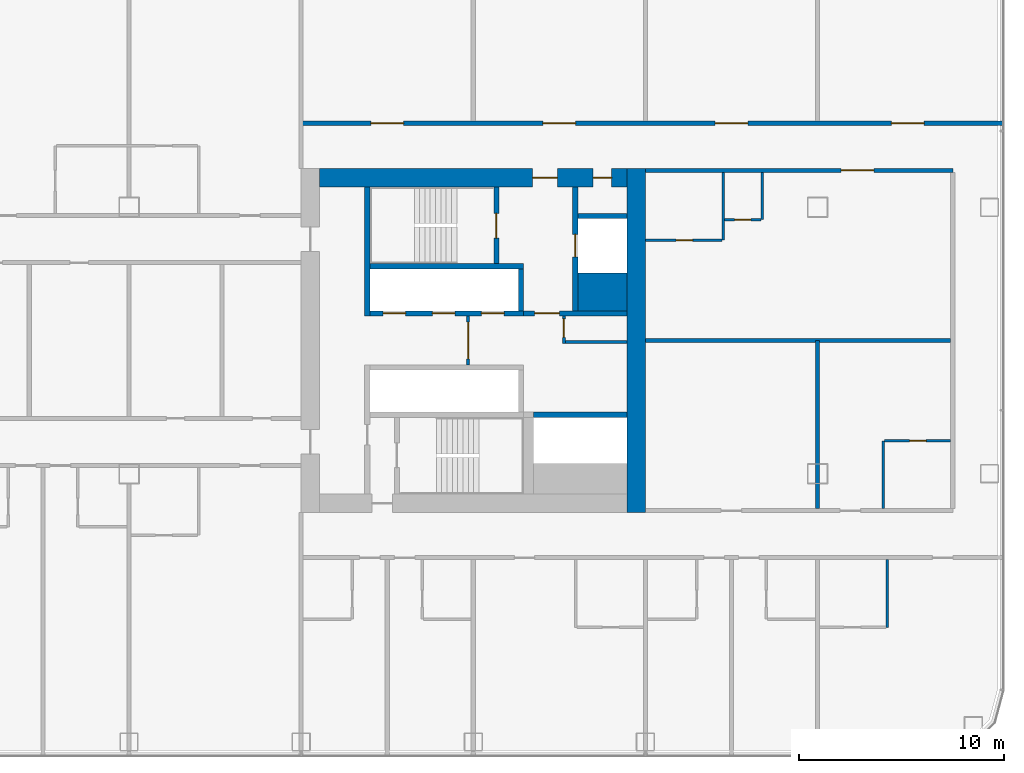
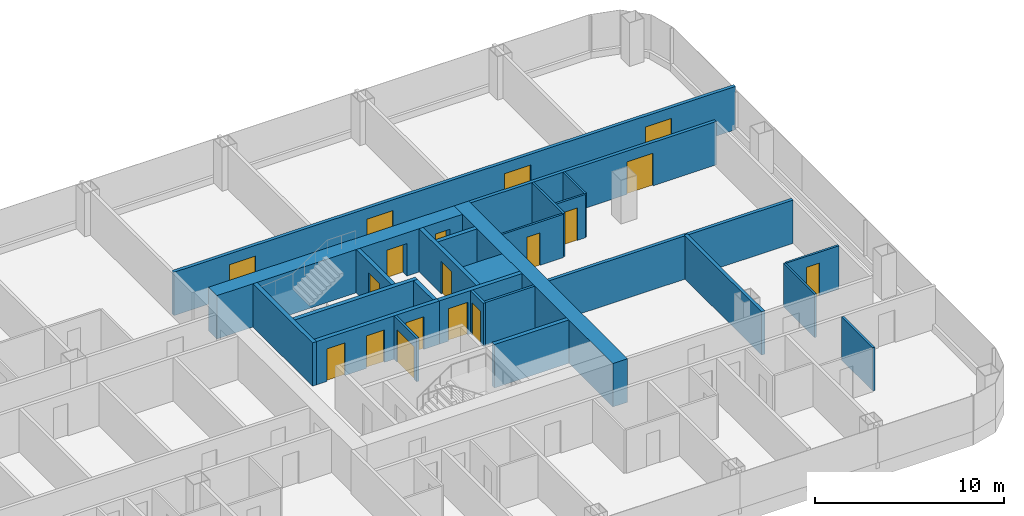
# One storey, part 19 of 29: 26 walls, 18 doors, 18 openings.
"""IFC4 building model written with IfcOpenShell, lengths in metres."""

from ifc_helpers import new_model, si_unit, direction, frame, frame_2d, origin, place, context, subcontext, project, spatial, rectangle, extrude, material, layer, layer_set, type_object, element, fill, save


model = new_model("IFC4")

# Units and contexts
model_context = context("Model", 3, precision=1e-05, world=origin(), true_north=direction((0.0, 1.0)))
body_context = subcontext(model_context, "Body", "Model", "MODEL_VIEW")
ifc_project = project(units=[si_unit("LENGTHUNIT", "METRE"), si_unit("AREAUNIT", "SQUARE_METRE"), si_unit("VOLUMEUNIT", "CUBIC_METRE"), si_unit("PLANEANGLEUNIT", "RADIAN"), si_unit("MASSUNIT", "GRAM", prefix="KILO")], contexts=[model_context])

# Site, building, storey
site_placement = place(None, origin())
site = spatial("IfcSite", under=ifc_project, at=site_placement, CompositionType="ELEMENT")
building_placement = place(site_placement, origin())
building = spatial("IfcBuilding", under=site, at=building_placement, Name="Hakoniwa Tower and Hamabe Station Hall", CompositionType="ELEMENT")
storey_placement = place(building_placement, frame((0.0, 0.0, 45.39990234375)))
storey = spatial("IfcBuildingStorey", under=building, at=storey_placement, Name="L12", CompositionType="ELEMENT", Elevation=45.39990234375)

# Wall, opening, door
ifc_material_1 = material(Name="Gypsum board partition", Category="gypsum")
ifc_layer_1 = layer(ifc_material_1, 0.125)
ifc_layer_set_1 = layer_set([ifc_layer_1], Name="Bathroom Partition 125")
wall_type_1 = type_object("IfcWallType", Name="Bathroom Partition 125", PredefinedType="PARTITIONING", material=ifc_layer_set_1)
wall_1_placement = place(storey_placement, frame((45.262451171875, -4.89990234375, 0.0), z_axis=(0.0, 0.0, 1.0), x_axis=(1.0, 0.0, 0.0)))
wall_1 = element("IfcWall", 1, at=wall_1_placement, inside=storey, type_object=wall_type_1, Name="GW-L12-025", PredefinedType="PARTITIONING", context=body_context, shape_type="SweptSolid", body=[
    extrude(rectangle(XDim=3.237548828125, YDim=0.125, at=frame_2d((1.61865234375, 0.0))), origin(), (0.0, 0.0, 1.0), 2.800048828125),
])
opening_1_placement = place(wall_1_placement, frame((1.237548828125, 0.0, 0.0)))
opening_1 = element("IfcOpeningElement", 2, at=opening_1_placement, cuts=wall_1, Name="Opening GD-G1D1-30", PredefinedType="OPENING", context=body_context, shape_type="SweptSolid", body=[
    extrude(rectangle(XDim=0.800048828125, YDim=2.10009765625, at=frame_2d((0.39990234375, 1.050048828125))), frame((0.0, 0.072509765625, 0.0), z_axis=(0.0, -1.0, 0.0), x_axis=(1.0, 0.0, 0.0)), (0.0, 0.0, 1.0), 0.14501953125),
])
ifc_material_2 = material(Name="Timber door leaf", Category="wood")
door_type_1 = type_object("IfcDoorType", Name="Bathroom Door 800", OperationType="SINGLE_SWING_LEFT", PredefinedType="DOOR", material=ifc_material_2)
door_1_placement = place(opening_1_placement, origin())
door_1 = element("IfcDoor", 3, at=door_1_placement, inside=storey, type_object=door_type_1, Name="Door GD-G1D1-30", OperationType="SINGLE_SWING_LEFT", OverallHeight=2.10009765625, OverallWidth=0.800048828125, PredefinedType="DOOR", context=body_context, shape_type="SweptSolid", body=[
    extrude(rectangle(XDim=0.800048828125, YDim=2.10009765625, at=frame_2d((0.39990234375, 1.050048828125))), frame((0.0, 0.02490234375, 0.0), z_axis=(0.0, -1.0, 0.0), x_axis=(1.0, 0.0, 0.0)), (0.0, 0.0, 1.0), 0.050048828125),
])
fill(opening_1, door_1)

wall_2_placement = place(storey_placement, frame((33.60009765625, 4.89990234375, 0.0), z_axis=(0.0, 0.0, 1.0), x_axis=(1.0, 0.0, 0.0)))
wall_2 = element("IfcWall", 4, at=wall_2_placement, inside=storey, type_object=wall_type_1, Name="GW-L12-031", PredefinedType="PARTITIONING", context=body_context, shape_type="SweptSolid", body=[
    extrude(rectangle(XDim=3.7373046875, YDim=0.125, at=frame_2d((1.86865234375, 0.0))), origin(), (0.0, 0.0, 1.0), 2.800048828125),
])
opening_2_placement = place(wall_2_placement, frame((1.5, 0.0, 0.0)))
opening_2 = element("IfcOpeningElement", 5, at=opening_2_placement, cuts=wall_2, Name="Opening GD-G1D1-40", PredefinedType="OPENING", context=body_context, shape_type="SweptSolid", body=[
    extrude(rectangle(XDim=0.800048828125, YDim=2.10009765625, at=frame_2d((0.39990234375, 1.050048828125))), frame((0.0, 0.072509765625, 0.0), z_axis=(0.0, -1.0, 0.0), x_axis=(1.0, 0.0, 0.0)), (0.0, 0.0, 1.0), 0.14501953125),
])
door_2_placement = place(opening_2_placement, origin())
door_2 = element("IfcDoor", 6, at=door_2_placement, inside=storey, type_object=door_type_1, Name="Door GD-G1D1-40", OperationType="SINGLE_SWING_LEFT", OverallHeight=2.10009765625, OverallWidth=0.800048828125, PredefinedType="DOOR", context=body_context, shape_type="SweptSolid", body=[
    extrude(rectangle(XDim=0.800048828125, YDim=2.10009765625, at=frame_2d((0.39990234375, 1.050048828125))), frame((0.0, 0.02490234375, 0.0), z_axis=(0.0, -1.0, 0.0), x_axis=(1.0, 0.0, 0.0)), (0.0, 0.0, 1.0), 0.050048828125),
])
fill(opening_2, door_2)

wall_3_placement = place(storey_placement, frame((37.46240234375, 5.89990234375, 0.0), z_axis=(0.0, 0.0, 1.0), x_axis=(1.0, 0.0, 0.0)))
wall_3 = element("IfcWall", 7, at=wall_3_placement, inside=storey, type_object=wall_type_1, Name="GW-L12-033", PredefinedType="PARTITIONING", context=body_context, shape_type="SweptSolid", body=[
    extrude(rectangle(XDim=1.775146484375, YDim=0.125, at=frame_2d((0.8876953125, 0.0))), origin(), (0.0, 0.0, 1.0), 2.800048828125),
])
opening_3_placement = place(wall_3_placement, frame((0.487548828125, 0.0, 0.0)))
opening_3 = element("IfcOpeningElement", 8, at=opening_3_placement, cuts=wall_3, Name="Opening GD-G1D1-42", PredefinedType="OPENING", context=body_context, shape_type="SweptSolid", body=[
    extrude(rectangle(XDim=0.800048828125, YDim=2.10009765625, at=frame_2d((0.39990234375, 1.050048828125))), frame((0.0, 0.072509765625, 0.0), z_axis=(0.0, -1.0, 0.0), x_axis=(1.0, 0.0, 0.0)), (0.0, 0.0, 1.0), 0.14501953125),
])
door_3_placement = place(opening_3_placement, origin())
door_3 = element("IfcDoor", 9, at=door_3_placement, inside=storey, type_object=door_type_1, Name="Door GD-G1D1-42", OperationType="SINGLE_SWING_LEFT", OverallHeight=2.10009765625, OverallWidth=0.800048828125, PredefinedType="DOOR", context=body_context, shape_type="SweptSolid", body=[
    extrude(rectangle(XDim=0.800048828125, YDim=2.10009765625, at=frame_2d((0.39990234375, 1.050048828125))), frame((0.0, 0.02490234375, 0.0), z_axis=(0.0, -1.0, 0.0), x_axis=(1.0, 0.0, 0.0)), (0.0, 0.0, 1.0), 0.050048828125),
])
fill(opening_3, door_3)

# Walls
wall_4_placement = place(storey_placement, frame((37.39990234375, 4.89990234375, 0.0), z_axis=(0.0, 0.0, 1.0), x_axis=(0.0, 1.0, 0.0)))
element("IfcWall", 10, at=wall_4_placement, inside=storey, type_object=wall_type_1, Name="GW-L12-107", PredefinedType="PARTITIONING", context=body_context, shape_type="SweptSolid", body=[
    extrude(rectangle(XDim=3.300048828125, YDim=0.125, at=frame_2d((1.64990234375, 0.0))), origin(), (0.0, 0.0, 1.0), 2.800048828125),
])
wall_5_placement = place(storey_placement, frame((39.300048828125, 5.89990234375, 0.0), z_axis=(0.0, 0.0, 1.0), x_axis=(0.0, 1.0, 0.0)))
element("IfcWall", 11, at=wall_5_placement, inside=storey, type_object=wall_type_1, Name="GW-L12-109", PredefinedType="PARTITIONING", context=body_context, shape_type="SweptSolid", body=[
    extrude(rectangle(XDim=2.300048828125, YDim=0.125, at=frame_2d((1.14990234375, 0.0))), origin(), (0.0, 0.0, 1.0), 2.800048828125),
])
for number, where, z_axis, x_axis, name in (
    (12, (45.199951171875, -8.199951171875, 0.0), (0.0, 0.0, 1.0), (0.0, 1.0, 0.0), "GW-L12-114"),
    (13, (45.39990234375, -14.0, 0.0), (0.0, 0.0, 1.0), (0.0, 1.0, 0.0), "GW-L12-115"),
):
    element("IfcWall", number, at=place(storey_placement, frame(where, z_axis=z_axis, x_axis=x_axis)), inside=storey, type_object=wall_type_1, Name=name, PredefinedType="PARTITIONING", context=body_context, shape_type="SweptSolid", body=[
        extrude(rectangle(XDim=3.300048828125, YDim=0.125, at=frame_2d((1.64990234375, 0.0))), origin(), (0.0, 0.0, 1.0), 2.800048828125),
    ])

# Wall, opening, door
ifc_material_3 = material(Name="Gypsum board partition")
ifc_layer_2 = layer(ifc_material_3, 0.14990234375)
ifc_layer_set_2 = layer_set([ifc_layer_2], Name="CORE PARTITION 150 EI 60")
wall_type_2 = type_object("IfcWallType", Name="CORE PARTITION 150 EI 60", PredefinedType="PARTITIONING", material=ifc_layer_set_2)
wall_6_placement = place(storey_placement, frame((24.949951171875, -1.199951171875, 0.0), z_axis=(0.0, 0.0, 1.0), x_axis=(0.0, 1.0, 0.0)))
wall_6 = element("IfcWall", 14, at=wall_6_placement, inside=storey, type_object=wall_type_2, Name="Core partition PL0 east", PredefinedType="PARTITIONING", context=body_context, shape_type="SweptSolid", body=[
    extrude(rectangle(XDim=2.39990234375, YDim=0.14990234375, at=frame_2d((1.199951171875, 0.0))), origin(), (0.0, 0.0, 1.0), 2.800048828125),
])
opening_4_placement = place(wall_6_placement, frame((0.300048828125, 0.0, 0.0)))
opening_4 = element("IfcOpeningElement", 15, at=opening_4_placement, cuts=wall_6, Name="Opening CD-E-LP0-18", PredefinedType="OPENING", context=body_context, shape_type="SweptSolid", body=[
    extrude(rectangle(XDim=1.800048828125, YDim=2.10009765625, at=frame_2d((0.89990234375, 1.050048828125))), frame((0.0, 0.0849609375, 0.0), z_axis=(0.0, -1.0, 0.0), x_axis=(1.0, 0.0, 0.0)), (0.0, 0.0, 1.0), 0.169921875),
])
ifc_material_4 = material(Name="Steel fire door", Category="steel")
door_type_2 = type_object("IfcDoorType", Name="CORE DOOR 1800 FD60", OperationType="DOUBLE_DOOR_SINGLE_SWING", PredefinedType="DOOR", material=ifc_material_4)
door_4_placement = place(opening_4_placement, origin())
door_4 = element("IfcDoor", 16, at=door_4_placement, inside=storey, type_object=door_type_2, Name="Lift lobby partition door", OperationType="DOUBLE_DOOR_SINGLE_SWING", OverallHeight=2.10009765625, OverallWidth=1.800048828125, PredefinedType="DOOR", context=body_context, shape_type="SweptSolid", body=[
    extrude(rectangle(XDim=1.800048828125, YDim=2.10009765625, at=frame_2d((0.89990234375, 1.050048828125))), frame((0.0, 0.02490234375, 0.0), z_axis=(0.0, -1.0, 0.0), x_axis=(1.0, 0.0, 0.0)), (0.0, 0.0, 1.0), 0.050048828125),
])
fill(opening_4, door_4)

wall_7_placement = place(storey_placement, frame((29.625, -0.14990234375, 0.0), z_axis=(0.0, 0.0, 1.0), x_axis=(0.0, 1.0, 0.0)))
wall_7 = element("IfcWall", 17, at=wall_7_placement, inside=storey, type_object=wall_type_2, Name="Core partition PW0 east", PredefinedType="PARTITIONING", context=body_context, shape_type="SweptSolid", body=[
    extrude(rectangle(XDim=1.349853515625, YDim=0.14990234375, at=frame_2d((0.6748046875, 0.0))), origin(), (0.0, 0.0, 1.0), 2.800048828125),
])
opening_5_placement = place(wall_7_placement, frame((0.300048828125, 0.0, 0.0)))
opening_5 = element("IfcOpeningElement", 18, at=opening_5_placement, cuts=wall_7, Name="Opening CD-E-RM1-9", PredefinedType="OPENING", context=body_context, shape_type="SweptSolid", body=[
    extrude(rectangle(XDim=0.89990234375, YDim=2.10009765625, at=frame_2d((0.449951171875, 1.050048828125))), frame((0.0, 0.0849609375, 0.0), z_axis=(0.0, -1.0, 0.0), x_axis=(1.0, 0.0, 0.0)), (0.0, 0.0, 1.0), 0.169921875),
])
ifc_material_5 = material(Name="Steel fire door", Category="steel")
door_type_3 = type_object("IfcDoorType", Name="CORE DOOR 900 FD30", OperationType="NOTDEFINED", PredefinedType="DOOR", material=ifc_material_5)
door_5_placement = place(opening_5_placement, origin())
door_5 = element("IfcDoor", 19, at=door_5_placement, inside=storey, type_object=door_type_3, Name="Store room door", OperationType="SINGLE_SWING_LEFT", OverallHeight=2.10009765625, OverallWidth=0.89990234375, PredefinedType="DOOR", context=body_context, shape_type="SweptSolid", body=[
    extrude(rectangle(XDim=0.89990234375, YDim=2.10009765625, at=frame_2d((0.449951171875, 1.050048828125))), frame((0.0, 0.02490234375, 0.0), z_axis=(0.0, -1.0, 0.0), x_axis=(1.0, 0.0, 0.0)), (0.0, 0.0, 1.0), 0.050048828125),
])
fill(opening_5, door_5)

# Walls
wall_8_placement = place(storey_placement, frame((29.699951171875, -0.074951171875, 0.0), z_axis=(0.0, 0.0, 1.0), x_axis=(1.0, 0.0, 0.0)))
element("IfcWall", 20, at=wall_8_placement, inside=storey, type_object=wall_type_2, Name="Core partition PS east", PredefinedType="PARTITIONING", context=body_context, shape_type="SweptSolid", body=[
    extrude(rectangle(XDim=3.0, YDim=0.14990234375, at=frame_2d((1.5, 0.0))), origin(), (0.0, 0.0, 1.0), 2.800048828125),
])
ifc_material_6 = material(Name="Concrete C80", Category="concrete")
ifc_layer_3 = layer(ifc_material_6, 0.89990234375)
ifc_layer_set_3 = layer_set([ifc_layer_3], Name="CORE WALL 900 C80")
wall_type_3 = type_object("IfcWallType", Name="CORE WALL 900 C80", PredefinedType="SHEAR", material=ifc_layer_set_3)
wall_9_placement = place(storey_placement, frame((33.14990234375, -8.39990234375, 0.0), z_axis=(0.0, 0.0, 1.0), x_axis=(0.0, 1.0, 0.0)))
element("IfcWall", 21, at=wall_9_placement, inside=storey, type_object=wall_type_3, Name="Core wall OUTER east", PredefinedType="SHEAR", context=body_context, shape_type="SweptSolid", body=[
    extrude(rectangle(XDim=16.7998046875, YDim=0.89990234375, at=frame_2d((8.39990234375, 0.0))), origin(), (0.0, 0.0, 1.0), 2.800048828125),
])

# Wall, openings, doors
wall_10_placement = place(storey_placement, frame((17.699951171875, 7.949951171875, 0.0), z_axis=(0.0, 0.0, 1.0), x_axis=(1.0, 0.0, 0.0)))
wall_10 = element("IfcWall", 22, at=wall_10_placement, inside=storey, type_object=wall_type_3, Name="Core wall NORTH east", PredefinedType="SHEAR", context=body_context, shape_type="SweptSolid", body=[
    extrude(rectangle(XDim=15.0, YDim=0.89990234375, at=frame_2d((7.5, 0.0))), origin(), (0.0, 0.0, 1.0), 2.800048828125),
])
opening_6_placement = place(wall_10_placement, frame((10.39990234375, 0.0, 0.0)))
opening_6 = element("IfcOpeningElement", 23, at=opening_6_placement, cuts=wall_10, Name="Opening CD-E-FN1-12", PredefinedType="OPENING", context=body_context, shape_type="SweptSolid", body=[
    extrude(rectangle(XDim=1.199951171875, YDim=2.10009765625, at=frame_2d((0.60009765625, 1.050048828125))), frame((0.0, 0.4599609375, 0.0), z_axis=(0.0, -1.0, 0.0), x_axis=(1.0, 0.0, 0.0)), (0.0, 0.0, 1.0), 0.919921875),
])
opening_7_placement = place(wall_10_placement, frame((13.35009765625, 0.0, 0.0)))
opening_7 = element("IfcOpeningElement", 24, at=opening_7_placement, cuts=wall_10, Name="Opening CD-E-FN2-9", PredefinedType="OPENING", context=body_context, shape_type="SweptSolid", body=[
    extrude(rectangle(XDim=0.89990234375, YDim=2.10009765625, at=frame_2d((0.449951171875, 1.050048828125))), frame((0.0, 0.4599609375, 0.0), z_axis=(0.0, -1.0, 0.0), x_axis=(1.0, 0.0, 0.0)), (0.0, 0.0, 1.0), 0.919921875),
])
ifc_material_7 = material(Name="Steel fire door", Category="steel")
door_type_4 = type_object("IfcDoorType", Name="CORE DOOR 1200 FD60", OperationType="DOUBLE_DOOR_SINGLE_SWING", PredefinedType="DOOR", material=ifc_material_7)
door_6_placement = place(opening_6_placement, origin())
door_6 = element("IfcDoor", 25, at=door_6_placement, inside=storey, type_object=door_type_4, Name="Stair vestibule door to the fire-fighting lobby", OperationType="DOUBLE_DOOR_SINGLE_SWING", OverallHeight=2.10009765625, OverallWidth=1.199951171875, PredefinedType="DOOR", context=body_context, shape_type="SweptSolid", body=[
    extrude(rectangle(XDim=1.199951171875, YDim=2.10009765625, at=frame_2d((0.60009765625, 1.050048828125))), frame((0.0, 0.02490234375, 0.0), z_axis=(0.0, -1.0, 0.0), x_axis=(1.0, 0.0, 0.0)), (0.0, 0.0, 1.0), 0.050048828125),
])
fill(opening_6, door_6)
door_7_placement = place(opening_7_placement, origin())
door_7 = element("IfcDoor", 26, at=door_7_placement, inside=storey, type_object=door_type_3, Name="Riser access door", OperationType="SINGLE_SWING_RIGHT", OverallHeight=2.10009765625, OverallWidth=0.89990234375, PredefinedType="DOOR", context=body_context, shape_type="SweptSolid", body=[
    extrude(rectangle(XDim=0.89990234375, YDim=2.10009765625, at=frame_2d((0.449951171875, 1.050048828125))), frame((0.0, 0.02490234375, 0.0), z_axis=(0.0, -1.0, 0.0), x_axis=(1.0, 0.0, 0.0)), (0.0, 0.0, 1.0), 0.050048828125),
])
fill(opening_7, door_7)

# Walls
ifc_material_8 = material(Name="Concrete C80", Category="concrete")
ifc_layer_4 = layer(ifc_material_8, 1.85009765625)
ifc_layer_set_4 = layer_set([ifc_layer_4], Name="CORE WEB WALL 1850 C80")
wall_type_4 = type_object("IfcWallType", Name="CORE WEB WALL 1850 C80", PredefinedType="SHEAR", material=ifc_layer_set_4)
wall_11_placement = place(storey_placement, frame((30.300048828125, 2.375, 0.0), z_axis=(0.0, 0.0, 1.0), x_axis=(1.0, 0.0, 0.0)))
element("IfcWall", 27, at=wall_11_placement, inside=storey, type_object=wall_type_4, Name="Core wall CA east", PredefinedType="SHEAR", context=body_context, shape_type="SweptSolid", body=[
    extrude(rectangle(XDim=2.39990234375, YDim=1.85009765625, at=frame_2d((1.199951171875, 0.0))), origin(), (0.0, 0.0, 1.0), 2.800048828125),
])
ifc_material_9 = material(Name="Concrete C80", Category="concrete")
ifc_layer_5 = layer(ifc_material_9, 0.25)
ifc_layer_set_5 = layer_set([ifc_layer_5], Name="CORE WEB WALL 250 C80")
wall_type_5 = type_object("IfcWallType", Name="CORE WEB WALL 250 C80", PredefinedType="SHEAR", material=ifc_layer_set_5)
wall_12_placement = place(storey_placement, frame((20.02490234375, 1.199951171875, 0.0), z_axis=(0.0, 0.0, 1.0), x_axis=(0.0, 1.0, 0.0)))
element("IfcWall", 28, at=wall_12_placement, inside=storey, type_object=wall_type_5, Name="Core wall W1N east", PredefinedType="SHEAR", context=body_context, shape_type="SweptSolid", body=[
    extrude(rectangle(XDim=6.300048828125, YDim=0.25, at=frame_2d((3.14990234375, 0.0))), origin(), (0.0, 0.0, 1.0), 2.800048828125),
])

# Wall, openings, doors
wall_13_placement = place(storey_placement, frame((20.14990234375, 1.324951171875, 0.0), z_axis=(0.0, 0.0, 1.0), x_axis=(1.0, 0.0, 0.0)))
wall_13 = element("IfcWall", 29, at=wall_13_placement, inside=storey, type_object=wall_type_5, Name="Core wall NF east", PredefinedType="SHEAR", context=body_context, shape_type="SweptSolid", body=[
    extrude(rectangle(XDim=7.5, YDim=0.25, at=frame_2d((3.75, 0.0))), origin(), (0.0, 0.0, 1.0), 2.800048828125),
])
opening_8_placement = place(wall_13_placement, frame((0.64990234375, 0.0, 0.0)))
opening_8 = element("IfcOpeningElement", 30, at=opening_8_placement, cuts=wall_13, Name="Opening LD-LR4", PredefinedType="OPENING", context=body_context, shape_type="SweptSolid", body=[
    extrude(rectangle(XDim=1.10009765625, YDim=2.10009765625, at=frame_2d((0.550048828125, 1.050048828125))), frame((0.0, 0.135009765625, 0.0), z_axis=(0.0, -1.0, 0.0), x_axis=(1.0, 0.0, 0.0)), (0.0, 0.0, 1.0), 0.27001953125),
])
opening_9_placement = place(wall_13_placement, frame((3.050048828125, 0.0, 0.0)))
opening_9 = element("IfcOpeningElement", 31, at=opening_9_placement, cuts=wall_13, Name="Opening LD-LR5", PredefinedType="OPENING", context=body_context, shape_type="SweptSolid", body=[
    extrude(rectangle(XDim=1.10009765625, YDim=2.10009765625, at=frame_2d((0.550048828125, 1.050048828125))), frame((0.0, 0.135009765625, 0.0), z_axis=(0.0, -1.0, 0.0), x_axis=(1.0, 0.0, 0.0)), (0.0, 0.0, 1.0), 0.27001953125),
])
opening_10_placement = place(wall_13_placement, frame((5.449951171875, 0.0, 0.0)))
opening_10 = element("IfcOpeningElement", 32, at=opening_10_placement, cuts=wall_13, Name="Opening LD-LR6", PredefinedType="OPENING", context=body_context, shape_type="SweptSolid", body=[
    extrude(rectangle(XDim=1.10009765625, YDim=2.10009765625, at=frame_2d((0.550048828125, 1.050048828125))), frame((0.0, 0.135009765625, 0.0), z_axis=(0.0, -1.0, 0.0), x_axis=(1.0, 0.0, 0.0)), (0.0, 0.0, 1.0), 0.27001953125),
])
ifc_material_10 = material(Name="Stainless steel SUS304", Category="steel")
door_type_5 = type_object("IfcDoorType", Name="LIFT LANDING DOOR 1100 FD60", OperationType="DOUBLE_DOOR_SLIDING", PredefinedType="DOOR", material=ifc_material_10)
door_8_placement = place(opening_8_placement, origin())
door_8 = element("IfcDoor", 33, at=door_8_placement, inside=storey, type_object=door_type_5, Name="Lift landing door LR4 L12", OperationType="DOUBLE_DOOR_SLIDING", OverallHeight=2.10009765625, OverallWidth=1.10009765625, PredefinedType="DOOR", context=body_context, shape_type="SweptSolid", body=[
    extrude(rectangle(XDim=1.10009765625, YDim=2.10009765625, at=frame_2d((0.550048828125, 1.050048828125))), frame((0.0, 0.02490234375, 0.0), z_axis=(0.0, -1.0, 0.0), x_axis=(1.0, 0.0, 0.0)), (0.0, 0.0, 1.0), 0.050048828125),
])
fill(opening_8, door_8)
door_9_placement = place(opening_9_placement, origin())
door_9 = element("IfcDoor", 34, at=door_9_placement, inside=storey, type_object=door_type_5, Name="Lift landing door LR5 L12", OperationType="DOUBLE_DOOR_SLIDING", OverallHeight=2.10009765625, OverallWidth=1.10009765625, PredefinedType="DOOR", context=body_context, shape_type="SweptSolid", body=[
    extrude(rectangle(XDim=1.10009765625, YDim=2.10009765625, at=frame_2d((0.550048828125, 1.050048828125))), frame((0.0, 0.02490234375, 0.0), z_axis=(0.0, -1.0, 0.0), x_axis=(1.0, 0.0, 0.0)), (0.0, 0.0, 1.0), 0.050048828125),
])
fill(opening_9, door_9)
door_10_placement = place(opening_10_placement, origin())
door_10 = element("IfcDoor", 35, at=door_10_placement, inside=storey, type_object=door_type_5, Name="Lift landing door LR6 L12", OperationType="DOUBLE_DOOR_SLIDING", OverallHeight=2.10009765625, OverallWidth=1.10009765625, PredefinedType="DOOR", context=body_context, shape_type="SweptSolid", body=[
    extrude(rectangle(XDim=1.10009765625, YDim=2.10009765625, at=frame_2d((0.550048828125, 1.050048828125))), frame((0.0, 0.02490234375, 0.0), z_axis=(0.0, -1.0, 0.0), x_axis=(1.0, 0.0, 0.0)), (0.0, 0.0, 1.0), 0.050048828125),
])
fill(opening_10, door_10)

# Walls
wall_14_placement = place(storey_placement, frame((27.52490234375, 1.449951171875, 0.0), z_axis=(0.0, 0.0, 1.0), x_axis=(0.0, 1.0, 0.0)))
element("IfcWall", 36, at=wall_14_placement, inside=storey, type_object=wall_type_5, Name="Core wall NE east", PredefinedType="SHEAR", context=body_context, shape_type="SweptSolid", body=[
    extrude(rectangle(XDim=2.050048828125, YDim=0.25, at=frame_2d((1.02490234375, 0.0))), origin(), (0.0, 0.0, 1.0), 2.800048828125),
])
wall_15_placement = place(storey_placement, frame((20.14990234375, 3.625, 0.0), z_axis=(0.0, 0.0, 1.0), x_axis=(1.0, 0.0, 0.0)))
element("IfcWall", 37, at=wall_15_placement, inside=storey, type_object=wall_type_5, Name="Core wall NR east", PredefinedType="SHEAR", context=body_context, shape_type="SweptSolid", body=[
    extrude(rectangle(XDim=7.5, YDim=0.25, at=frame_2d((3.75, 0.0))), origin(), (0.0, 0.0, 1.0), 2.800048828125),
])

# Wall, opening, door
wall_16_placement = place(storey_placement, frame((26.324951171875, 3.75, 0.0), z_axis=(0.0, 0.0, 1.0), x_axis=(0.0, 1.0, 0.0)))
wall_16 = element("IfcWall", 38, at=wall_16_placement, inside=storey, type_object=wall_type_5, Name="Core wall NSE east", PredefinedType="SHEAR", context=body_context, shape_type="SweptSolid", body=[
    extrude(rectangle(XDim=3.75, YDim=0.25, at=frame_2d((1.875, 0.0))), origin(), (0.0, 0.0, 1.0), 2.800048828125),
])
opening_11_placement = place(wall_16_placement, frame((1.25, 0.0, 0.0)))
opening_11 = element("IfcOpeningElement", 39, at=opening_11_placement, cuts=wall_16, Name="Opening CD-E-SN-12", PredefinedType="OPENING", context=body_context, shape_type="SweptSolid", body=[
    extrude(rectangle(XDim=1.199951171875, YDim=2.10009765625, at=frame_2d((0.60009765625, 1.050048828125))), frame((0.0, 0.135009765625, 0.0), z_axis=(0.0, -1.0, 0.0), x_axis=(1.0, 0.0, 0.0)), (0.0, 0.0, 1.0), 0.27001953125),
])
door_11_placement = place(opening_11_placement, origin())
door_11 = element("IfcDoor", 40, at=door_11_placement, inside=storey, type_object=door_type_4, Name="Escape stair door", OperationType="DOUBLE_DOOR_SINGLE_SWING", OverallHeight=2.10009765625, OverallWidth=1.199951171875, PredefinedType="DOOR", context=body_context, shape_type="SweptSolid", body=[
    extrude(rectangle(XDim=1.199951171875, YDim=2.10009765625, at=frame_2d((0.60009765625, 1.050048828125))), frame((0.0, 0.02490234375, 0.0), z_axis=(0.0, -1.0, 0.0), x_axis=(1.0, 0.0, 0.0)), (0.0, 0.0, 1.0), 0.050048828125),
])
fill(opening_11, door_11)

wall_17_placement = place(storey_placement, frame((27.64990234375, 1.324951171875, 0.0), z_axis=(0.0, 0.0, 1.0), x_axis=(1.0, 0.0, 0.0)))
wall_17 = element("IfcWall", 41, at=wall_17_placement, inside=storey, type_object=wall_type_5, Name="Core wall ELN east", PredefinedType="SHEAR", context=body_context, shape_type="SweptSolid", body=[
    extrude(rectangle(XDim=5.050048828125, YDim=0.25, at=frame_2d((2.52490234375, 0.0))), origin(), (0.0, 0.0, 1.0), 2.800048828125),
])
opening_12_placement = place(wall_17_placement, frame((0.550048828125, 0.0, 0.0)))
opening_12 = element("IfcOpeningElement", 42, at=opening_12_placement, cuts=wall_17, Name="Opening CD-E-FL-12", PredefinedType="OPENING", context=body_context, shape_type="SweptSolid", body=[
    extrude(rectangle(XDim=1.199951171875, YDim=2.10009765625, at=frame_2d((0.60009765625, 1.050048828125))), frame((0.0, 0.135009765625, 0.0), z_axis=(0.0, -1.0, 0.0), x_axis=(1.0, 0.0, 0.0)), (0.0, 0.0, 1.0), 0.27001953125),
])
door_12_placement = place(opening_12_placement, origin())
door_12 = element("IfcDoor", 43, at=door_12_placement, inside=storey, type_object=door_type_4, Name="Stair vestibule door to the fire-fighting lobby", OperationType="DOUBLE_DOOR_SINGLE_SWING", OverallHeight=2.10009765625, OverallWidth=1.199951171875, PredefinedType="DOOR", context=body_context, shape_type="SweptSolid", body=[
    extrude(rectangle(XDim=1.199951171875, YDim=2.10009765625, at=frame_2d((0.60009765625, 1.050048828125))), frame((0.0, 0.02490234375, 0.0), z_axis=(0.0, -1.0, 0.0), x_axis=(1.0, 0.0, 0.0)), (0.0, 0.0, 1.0), 0.050048828125),
])
fill(opening_12, door_12)

wall_18_placement = place(storey_placement, frame((30.175048828125, 1.449951171875, 0.0), z_axis=(0.0, 0.0, 1.0), x_axis=(0.0, 1.0, 0.0)))
wall_18 = element("IfcWall", 44, at=wall_18_placement, inside=storey, type_object=wall_type_5, Name="Core wall FFF east", PredefinedType="SHEAR", context=body_context, shape_type="SweptSolid", body=[
    extrude(rectangle(XDim=6.050048828125, YDim=0.25, at=frame_2d((3.02490234375, 0.0))), origin(), (0.0, 0.0, 1.0), 2.800048828125),
])
opening_13_placement = place(wall_18_placement, frame((2.625, 0.0, 0.0)))
opening_13 = element("IfcOpeningElement", 45, at=opening_13_placement, cuts=wall_18, Name="Opening LD-FF2", PredefinedType="OPENING", context=body_context, shape_type="SweptSolid", body=[
    extrude(rectangle(XDim=1.10009765625, YDim=2.10009765625, at=frame_2d((0.550048828125, 1.050048828125))), frame((0.0, 0.135009765625, 0.0), z_axis=(0.0, -1.0, 0.0), x_axis=(1.0, 0.0, 0.0)), (0.0, 0.0, 1.0), 0.27001953125),
])
door_13_placement = place(opening_13_placement, origin())
door_13 = element("IfcDoor", 46, at=door_13_placement, inside=storey, type_object=door_type_5, Name="Lift landing door FF2 L12", OperationType="DOUBLE_DOOR_SLIDING", OverallHeight=2.10009765625, OverallWidth=1.10009765625, PredefinedType="DOOR", context=body_context, shape_type="SweptSolid", body=[
    extrude(rectangle(XDim=1.10009765625, YDim=2.10009765625, at=frame_2d((0.550048828125, 1.050048828125))), frame((0.0, 0.02490234375, 0.0), z_axis=(0.0, -1.0, 0.0), x_axis=(1.0, 0.0, 0.0)), (0.0, 0.0, 1.0), 0.050048828125),
])
fill(opening_13, door_13)

# Walls
wall_19_placement = place(storey_placement, frame((30.300048828125, 6.074951171875, 0.0), z_axis=(0.0, 0.0, 1.0), x_axis=(1.0, 0.0, 0.0)))
element("IfcWall", 47, at=wall_19_placement, inside=storey, type_object=wall_type_5, Name="Core wall C2 east", PredefinedType="SHEAR", context=body_context, shape_type="SweptSolid", body=[
    extrude(rectangle(XDim=2.39990234375, YDim=0.25, at=frame_2d((1.199951171875, 0.0))), origin(), (0.0, 0.0, 1.0), 2.800048828125),
])
wall_20_placement = place(storey_placement, frame((28.14990234375, -3.625, 0.0), z_axis=(0.0, 0.0, 1.0), x_axis=(1.0, 0.0, 0.0)))
element("IfcWall", 48, at=wall_20_placement, inside=storey, type_object=wall_type_5, Name="Core wall SEF east", PredefinedType="SHEAR", context=body_context, shape_type="SweptSolid", body=[
    extrude(rectangle(XDim=4.550048828125, YDim=0.25, at=frame_2d((2.27490234375, 0.0))), origin(), (0.0, 0.0, 1.0), 2.800048828125),
])

# Wall, opening, door
ifc_material_11 = material(Name="Fire-rated gypsum board partition", Category="gypsum")
ifc_layer_6 = layer(ifc_material_11, 0.199951171875)
ifc_layer_set_6 = layer_set([ifc_layer_6], Name="Corridor Wall 200")
wall_type_6 = type_object("IfcWallType", Name="Corridor Wall 200", PredefinedType="PARTITIONING", material=ifc_layer_set_6)
wall_21_placement = place(storey_placement, frame((33.60009765625, 8.300048828125, 0.0), z_axis=(0.0, 0.0, 1.0), x_axis=(1.0, 0.0, 0.0)))
wall_21 = element("IfcWall", 49, at=wall_21_placement, inside=storey, type_object=wall_type_6, Name="GW-L12-036", PredefinedType="PARTITIONING", context=body_context, shape_type="SweptSolid", body=[
    extrude(rectangle(XDim=15.0, YDim=0.199951171875, at=frame_2d((7.5, 0.0))), origin(), (0.0, 0.0, 1.0), 2.800048828125),
])
opening_14_placement = place(wall_21_placement, frame((9.550048828125, 0.0, 0.0)))
opening_14 = element("IfcOpeningElement", 50, at=opening_14_placement, cuts=wall_21, Name="Opening GD-G1D1-50", PredefinedType="OPENING", context=body_context, shape_type="SweptSolid", body=[
    extrude(rectangle(XDim=1.60009765625, YDim=2.10009765625, at=frame_2d((0.800048828125, 1.050048828125))), frame((0.0, 0.10986328125, 0.0), z_axis=(0.0, -1.0, 0.0), x_axis=(1.0, 0.0, 0.0)), (0.0, 0.0, 1.0), 0.219970703125),
])
ifc_material_12 = material(Name="Timber door leaf", Category="wood")
door_type_6 = type_object("IfcDoorType", Name="Double Door 1600", OperationType="DOUBLE_DOOR_SINGLE_SWING", PredefinedType="DOOR", material=ifc_material_12)
door_14_placement = place(opening_14_placement, origin())
door_14 = element("IfcDoor", 51, at=door_14_placement, inside=storey, type_object=door_type_6, Name="Door GD-G1D1-50", OperationType="DOUBLE_DOOR_SINGLE_SWING", OverallHeight=2.10009765625, OverallWidth=1.60009765625, PredefinedType="DOOR", context=body_context, shape_type="SweptSolid", body=[
    extrude(rectangle(XDim=1.60009765625, YDim=2.10009765625, at=frame_2d((0.800048828125, 1.050048828125))), frame((0.0, 0.02490234375, 0.0), z_axis=(0.0, -1.0, 0.0), x_axis=(1.0, 0.0, 0.0)), (0.0, 0.0, 1.0), 0.050048828125),
])
fill(opening_14, door_14)

# Wall, openings, doors
wall_22_placement = place(storey_placement, frame((16.800048828125, 10.60009765625, 0.0), z_axis=(0.0, 0.0, 1.0), x_axis=(1.0, 0.0, 0.0)))
wall_22 = element("IfcWall", 52, at=wall_22_placement, inside=storey, type_object=wall_type_6, Name="GW-L12-042", PredefinedType="PARTITIONING", context=body_context, shape_type="SweptSolid", body=[
    extrude(rectangle(XDim=34.300048828125, YDim=0.199951171875, at=frame_2d((17.14990234375, 0.0))), origin(), (0.0, 0.0, 1.0), 2.800048828125),
])
opening_15_placement = place(wall_22_placement, frame((3.39990234375, 0.0, 0.0)))
opening_15 = element("IfcOpeningElement", 53, at=opening_15_placement, cuts=wall_22, Name="Opening GD-G1D1-60", PredefinedType="OPENING", context=body_context, shape_type="SweptSolid", body=[
    extrude(rectangle(XDim=1.60009765625, YDim=2.10009765625, at=frame_2d((0.800048828125, 1.050048828125))), frame((0.0, 0.10986328125, 0.0), z_axis=(0.0, -1.0, 0.0), x_axis=(1.0, 0.0, 0.0)), (0.0, 0.0, 1.0), 0.219970703125),
])
opening_16_placement = place(wall_22_placement, frame((11.800048828125, 0.0, 0.0)))
opening_16 = element("IfcOpeningElement", 54, at=opening_16_placement, cuts=wall_22, Name="Opening GD-G1D1-61", PredefinedType="OPENING", context=body_context, shape_type="SweptSolid", body=[
    extrude(rectangle(XDim=1.60009765625, YDim=2.10009765625, at=frame_2d((0.800048828125, 1.050048828125))), frame((0.0, 0.10986328125, 0.0), z_axis=(0.0, -1.0, 0.0), x_axis=(1.0, 0.0, 0.0)), (0.0, 0.0, 1.0), 0.219970703125),
])
opening_17_placement = place(wall_22_placement, frame((20.199951171875, 0.0, 0.0)))
opening_17 = element("IfcOpeningElement", 55, at=opening_17_placement, cuts=wall_22, Name="Opening GD-G1D1-62", PredefinedType="OPENING", context=body_context, shape_type="SweptSolid", body=[
    extrude(rectangle(XDim=1.60009765625, YDim=2.10009765625, at=frame_2d((0.800048828125, 1.050048828125))), frame((0.0, 0.10986328125, 0.0), z_axis=(0.0, -1.0, 0.0), x_axis=(1.0, 0.0, 0.0)), (0.0, 0.0, 1.0), 0.219970703125),
])
opening_18_placement = place(wall_22_placement, frame((28.800048828125, 0.0, 0.0)))
opening_18 = element("IfcOpeningElement", 56, at=opening_18_placement, cuts=wall_22, Name="Opening GD-G1D1-63", PredefinedType="OPENING", context=body_context, shape_type="SweptSolid", body=[
    extrude(rectangle(XDim=1.60009765625, YDim=2.10009765625, at=frame_2d((0.800048828125, 1.050048828125))), frame((0.0, 0.10986328125, 0.0), z_axis=(0.0, -1.0, 0.0), x_axis=(1.0, 0.0, 0.0)), (0.0, 0.0, 1.0), 0.219970703125),
])
door_15_placement = place(opening_15_placement, origin())
door_15 = element("IfcDoor", 57, at=door_15_placement, inside=storey, type_object=door_type_6, Name="Door GD-G1D1-60", OperationType="DOUBLE_DOOR_SINGLE_SWING", OverallHeight=2.10009765625, OverallWidth=1.60009765625, PredefinedType="DOOR", context=body_context, shape_type="SweptSolid", body=[
    extrude(rectangle(XDim=1.60009765625, YDim=2.10009765625, at=frame_2d((0.800048828125, 1.050048828125))), frame((0.0, 0.02490234375, 0.0), z_axis=(0.0, -1.0, 0.0), x_axis=(1.0, 0.0, 0.0)), (0.0, 0.0, 1.0), 0.050048828125),
])
fill(opening_15, door_15)
door_16_placement = place(opening_16_placement, origin())
door_16 = element("IfcDoor", 58, at=door_16_placement, inside=storey, type_object=door_type_6, Name="Door GD-G1D1-61", OperationType="DOUBLE_DOOR_SINGLE_SWING", OverallHeight=2.10009765625, OverallWidth=1.60009765625, PredefinedType="DOOR", context=body_context, shape_type="SweptSolid", body=[
    extrude(rectangle(XDim=1.60009765625, YDim=2.10009765625, at=frame_2d((0.800048828125, 1.050048828125))), frame((0.0, 0.02490234375, 0.0), z_axis=(0.0, -1.0, 0.0), x_axis=(1.0, 0.0, 0.0)), (0.0, 0.0, 1.0), 0.050048828125),
])
fill(opening_16, door_16)
door_17_placement = place(opening_17_placement, origin())
door_17 = element("IfcDoor", 59, at=door_17_placement, inside=storey, type_object=door_type_6, Name="Door GD-G1D1-62", OperationType="DOUBLE_DOOR_SINGLE_SWING", OverallHeight=2.10009765625, OverallWidth=1.60009765625, PredefinedType="DOOR", context=body_context, shape_type="SweptSolid", body=[
    extrude(rectangle(XDim=1.60009765625, YDim=2.10009765625, at=frame_2d((0.800048828125, 1.050048828125))), frame((0.0, 0.02490234375, 0.0), z_axis=(0.0, -1.0, 0.0), x_axis=(1.0, 0.0, 0.0)), (0.0, 0.0, 1.0), 0.050048828125),
])
fill(opening_17, door_17)
door_18_placement = place(opening_18_placement, origin())
door_18 = element("IfcDoor", 60, at=door_18_placement, inside=storey, type_object=door_type_6, Name="Door GD-G1D1-63", OperationType="DOUBLE_DOOR_SINGLE_SWING", OverallHeight=2.10009765625, OverallWidth=1.60009765625, PredefinedType="DOOR", context=body_context, shape_type="SweptSolid", body=[
    extrude(rectangle(XDim=1.60009765625, YDim=2.10009765625, at=frame_2d((0.800048828125, 1.050048828125))), frame((0.0, 0.02490234375, 0.0), z_axis=(0.0, -1.0, 0.0), x_axis=(1.0, 0.0, 0.0)), (0.0, 0.0, 1.0), 0.050048828125),
])
fill(opening_18, door_18)

# Walls
ifc_material_13 = material(Name="Fire-rated gypsum board partition", Category="gypsum")
ifc_layer_7 = layer(ifc_material_13, 0.199951171875)
ifc_layer_set_7 = layer_set([ifc_layer_7], Name="Party Wall 200")
wall_type_7 = type_object("IfcWallType", Name="Party Wall 200", PredefinedType="PARTITIONING", material=ifc_layer_set_7)
wall_23_placement = place(storey_placement, frame((33.60009765625, 0.0, 0.0), z_axis=(0.0, 0.0, 1.0), x_axis=(1.0, 0.0, 0.0)))
element("IfcWall", 61, at=wall_23_placement, inside=storey, type_object=wall_type_7, Name="GW-L12-028", PredefinedType="PARTITIONING", context=body_context, shape_type="SweptSolid", body=[
    extrude(rectangle(XDim=14.89990234375, YDim=0.199951171875, at=frame_2d((7.449951171875, 0.0))), origin(), (0.0, 0.0, 1.0), 2.800048828125),
])
wall_24_placement = place(storey_placement, frame((42.0, -8.199951171875, 0.0), z_axis=(0.0, 0.0, 1.0), x_axis=(0.0, 1.0, 0.0)))
element("IfcWall", 62, at=wall_24_placement, inside=storey, type_object=wall_type_7, Name="GW-L12-112", PredefinedType="PARTITIONING", context=body_context, shape_type="SweptSolid", body=[
    extrude(rectangle(XDim=8.199951171875, YDim=0.199951171875, at=frame_2d((4.10009765625, 0.0))), origin(), (0.0, 0.0, 1.0), 2.800048828125),
])

save(model, "model.ifc")
